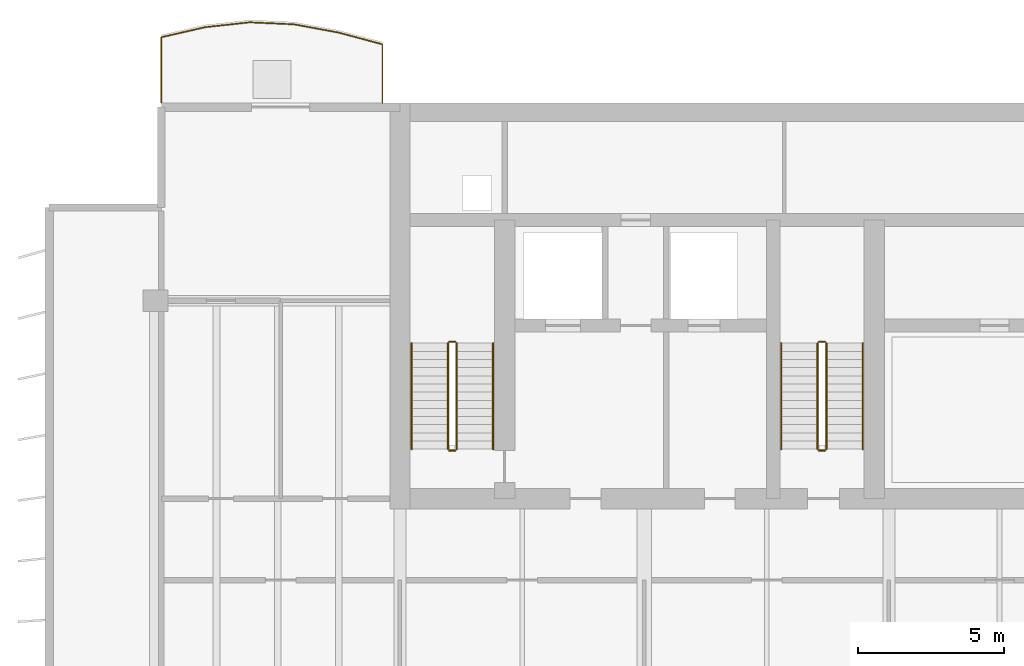
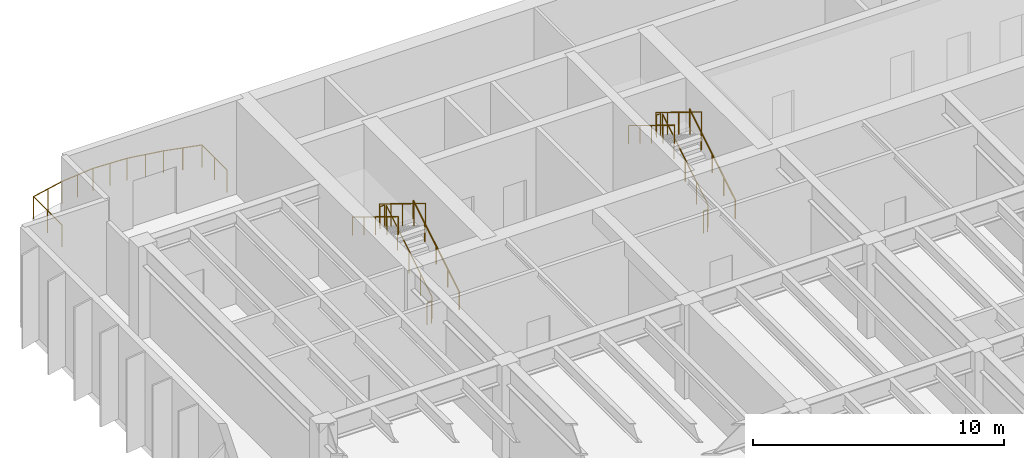
# One storey, part 13 of 15: 13 railings.
"""IFC4 building model written with IfcOpenShell, lengths in metres."""

from ifc_helpers import new_model, si_unit, direction, frame, origin, origin_2d, place, context, subcontext, project, spatial, circle, extrude, material, type_object, element, save


model = new_model("IFC4")

# Units and contexts
model_context = context("Model", 3, precision=1e-05, world=origin(), true_north=direction((0.0, 1.0)))
body_context = subcontext(model_context, "Body", "Model", "MODEL_VIEW")
ifc_project = project(units=[si_unit("LENGTHUNIT", "METRE"), si_unit("AREAUNIT", "SQUARE_METRE"), si_unit("VOLUMEUNIT", "CUBIC_METRE"), si_unit("PLANEANGLEUNIT", "RADIAN"), si_unit("MASSUNIT", "GRAM", prefix="KILO")], contexts=[model_context])

# Site, building, storey
site_placement = place(None, origin())
site = spatial("IfcSite", under=ifc_project, at=site_placement, CompositionType="ELEMENT")
building_placement = place(site_placement, origin())
building = spatial("IfcBuilding", under=site, at=building_placement, Name="Caelmar Bay Residences", CompositionType="ELEMENT")
storey_placement = place(building_placement, frame((0.0, 0.0, 183.60009765625)))
storey = spatial("IfcBuildingStorey", under=building, at=storey_placement, Name="L51", CompositionType="ELEMENT", Elevation=183.60009765625)

# Railings
ifc_material_1 = material(Name="Anodised bronze handrail with laminated hurricane glass infill", Category="glass")
railing_type_1 = type_object("IfcRailingType", Name="RL-BAL-1100", PredefinedType="BALUSTRADE", material=ifc_material_1)
railing_1_placement = place(storey_placement, frame((17.699951171875, 50.60009765625, 0.0)))
element("IfcRailing", 1, at=railing_1_placement, inside=storey, type_object=railing_type_1, Name="L51 north_west Balcony Balustrade", PredefinedType="BALUSTRADE", context=body_context, shape_type="SweptSolid", body=[
    extrude(circle(Radius=0.02392578125, at=origin_2d()), frame((0.0, 0.0, 1.076171875), z_axis=(0.0, 1.0, 0.0), x_axis=(-1.0, 0.0, 0.0)), (0.0, 0.0, 1.0), 2.0087890625),
    extrude(circle(Radius=0.02392578125, at=origin_2d()), frame((0.0, 2.0087890625, 1.076171875), z_axis=(-0.966206600501, 0.25776889872, 0.0), x_axis=(-0.25776889872, -0.966206600501, 0.0)), (0.0, 0.0, 1.0), 1.5732421875),
    extrude(circle(Radius=0.02392578125, at=origin_2d()), frame((-1.52001953125, 2.414306640625, 1.076171875), z_axis=(-0.983309224326, 0.181942214331, 0.0), x_axis=(-0.181942214331, -0.983309224326, 0.0)), (0.0, 0.0, 1.0), 1.5458984375),
    extrude(circle(Radius=0.02392578125, at=origin_2d()), frame((-3.0400390625, 2.695556640625, 1.076171875), z_axis=(-0.998975805625, 0.045247538899, 0.0), x_axis=(-0.045247538899, -0.998975805625, 0.0)), (0.0, 0.0, 1.0), 1.521484375),
    extrude(circle(Radius=0.02392578125, at=origin_2d()), frame((-4.56005859375, 2.764404296875, 1.076171875), z_axis=(-0.994138121061, -0.108117511319, 0.0), x_axis=(0.108117511319, -0.994138121061, 0.0)), (0.0, 0.0, 1.0), 1.52880859375),
    extrude(circle(Radius=0.02392578125, at=origin_2d()), frame((-6.079833984375, 2.59912109375, 1.076171875), z_axis=(-0.974861421848, -0.222812046786, 0.0), x_axis=(0.222812046786, -0.974861421848, 0.0)), (0.0, 0.0, 1.0), 1.559326171875),
    extrude(circle(Radius=0.02392578125, at=origin_2d()), frame((-7.599853515625, 2.251708984375, 1.076171875), z_axis=(0.0, -1.0, 0.0), x_axis=(1.0, 0.0, 0.0)), (0.0, 0.0, 1.0), 2.251708984375),
    extrude(circle(Radius=0.02099609375, at=origin_2d()), origin(), (0.0, 0.0, 1.0), 1.052001953125),
    extrude(circle(Radius=0.02099609375, at=origin_2d()), frame((0.0, 1.00439453125, 0.0)), (0.0, 0.0, 1.0), 1.052001953125),
    extrude(circle(Radius=0.02099609375, at=origin_2d()), frame((0.0, 2.0087890625, 0.0)), (0.0, 0.0, 1.0), 1.052001953125),
    extrude(circle(Radius=0.02099609375, at=origin_2d()), frame((-0.760009765625, 2.21142578125, 0.0)), (0.0, 0.0, 1.0), 1.052001953125),
    extrude(circle(Radius=0.02099609375, at=origin_2d()), frame((-1.52001953125, 2.414306640625, 0.0)), (0.0, 0.0, 1.0), 1.052001953125),
    extrude(circle(Radius=0.02099609375, at=origin_2d()), frame((-2.280029296875, 2.554931640625, 0.0)), (0.0, 0.0, 1.0), 1.052001953125),
    extrude(circle(Radius=0.02099609375, at=origin_2d()), frame((-3.0400390625, 2.695556640625, 0.0)), (0.0, 0.0, 1.0), 1.052001953125),
    extrude(circle(Radius=0.02099609375, at=origin_2d()), frame((-3.800048828125, 2.72998046875, 0.0)), (0.0, 0.0, 1.0), 1.052001953125),
    extrude(circle(Radius=0.02099609375, at=origin_2d()), frame((-4.56005859375, 2.764404296875, 0.0)), (0.0, 0.0, 1.0), 1.052001953125),
    extrude(circle(Radius=0.02099609375, at=origin_2d()), frame((-5.31982421875, 2.681640625, 0.0)), (0.0, 0.0, 1.0), 1.052001953125),
    extrude(circle(Radius=0.02099609375, at=origin_2d()), frame((-6.079833984375, 2.59912109375, 0.0)), (0.0, 0.0, 1.0), 1.052001953125),
    extrude(circle(Radius=0.02099609375, at=origin_2d()), frame((-6.83984375, 2.42529296875, 0.0)), (0.0, 0.0, 1.0), 1.052001953125),
    extrude(circle(Radius=0.02099609375, at=origin_2d()), frame((-7.599853515625, 2.251708984375, 0.0)), (0.0, 0.0, 1.0), 1.052001953125),
    extrude(circle(Radius=0.02099609375, at=origin_2d()), frame((-7.599853515625, 1.1259765625, 0.0)), (0.0, 0.0, 1.0), 1.052001953125),
    extrude(circle(Radius=0.02099609375, at=origin_2d()), frame((-7.599853515625, 0.0, 0.0)), (0.0, 0.0, 1.0), 1.052001953125),
])
ifc_material_2 = material(Name="Painted galvanized steel stair guard 1100 mm", Category="steel")
railing_type_2 = type_object("IfcRailingType", Name="RL-GRD-1100", PredefinedType="GUARDRAIL", material=ifc_material_2)
railing_2_placement = place(storey_placement, frame((20.25, 38.699951171875, 0.17138671875)))
element("IfcRailing", 2, at=railing_2_placement, inside=storey, type_object=railing_type_2, Name="L51 ST1 stair guard 1", PredefinedType="GUARDRAIL", context=body_context, shape_type="SweptSolid", body=[
    extrude(circle(Radius=0.02392578125, at=origin_2d()), frame((0.0, 0.0, 1.076171875), z_axis=(0.0, 0.852865859571, 0.52213008492), x_axis=(-1.0, 0.0, 0.0)), (0.0, 0.0, 1.0), 4.26806640625),
    extrude(circle(Radius=0.02099609375, at=origin_2d()), origin(), (0.0, 0.0, 1.0), 1.052001953125),
    extrude(circle(Radius=0.02099609375, at=origin_2d()), frame((0.0, 0.91015625, 0.55712890625)), (0.0, 0.0, 1.0), 1.052001953125),
    extrude(circle(Radius=0.02099609375, at=origin_2d()), frame((0.0, 1.820068359375, 1.1142578125)), (0.0, 0.0, 1.0), 1.052001953125),
    extrude(circle(Radius=0.02099609375, at=origin_2d()), frame((0.0, 2.72998046875, 1.67138671875)), (0.0, 0.0, 1.0), 1.052001953125),
    extrude(circle(Radius=0.02099609375, at=origin_2d()), frame((0.0, 3.64013671875, 2.228515625)), (0.0, 0.0, 1.0), 1.052001953125),
])
railing_3_placement = place(storey_placement, frame((20.199951171875, 42.389892578125, 2.39990234375)))
element("IfcRailing", 3, at=railing_3_placement, inside=storey, type_object=railing_type_2, Name="L51 ST1 stair guard 2", PredefinedType="GUARDRAIL", context=body_context, shape_type="SweptSolid", body=[
    extrude(circle(Radius=0.02392578125, at=origin_2d()), frame((0.0, 0.0, 1.076171875), z_axis=(-1.0, 0.0, 0.0), x_axis=(0.0, -1.0, 0.0)), (0.0, 0.0, 1.0), 0.199951171875),
    extrude(circle(Radius=0.02099609375, at=origin_2d()), origin(), (0.0, 0.0, 1.0), 1.052001953125),
    extrude(circle(Radius=0.02099609375, at=origin_2d()), frame((-0.199951171875, 0.0, 0.0)), (0.0, 0.0, 1.0), 1.052001953125),
])
railing_4_placement = place(storey_placement, frame((19.949951171875, 42.340087890625, 2.5712890625)))
element("IfcRailing", 4, at=railing_4_placement, inside=storey, type_object=railing_type_2, Name="L51 ST1 stair guard 3", PredefinedType="GUARDRAIL", context=body_context, shape_type="SweptSolid", body=[
    extrude(circle(Radius=0.02392578125, at=origin_2d()), frame((0.0, 0.0, 1.076171875), z_axis=(0.0, -0.852865859571, 0.52213008492), x_axis=(1.0, 0.0, 0.0)), (0.0, 0.0, 1.0), 4.26806640625),
    extrude(circle(Radius=0.02099609375, at=origin_2d()), origin(), (0.0, 0.0, 1.0), 1.052001953125),
    extrude(circle(Radius=0.02099609375, at=origin_2d()), frame((0.0, -0.91015625, 0.55712890625)), (0.0, 0.0, 1.0), 1.052001953125),
    extrude(circle(Radius=0.02099609375, at=origin_2d()), frame((0.0, -1.820068359375, 1.1142578125)), (0.0, 0.0, 1.0), 1.052001953125),
    extrude(circle(Radius=0.02099609375, at=origin_2d()), frame((0.0, -2.72998046875, 1.67138671875)), (0.0, 0.0, 1.0), 1.052001953125),
    extrude(circle(Radius=0.02099609375, at=origin_2d()), frame((0.0, -3.64013671875, 2.228515625)), (0.0, 0.0, 1.0), 1.052001953125),
])
railing_5_placement = place(storey_placement, frame((20.199951171875, 38.64990234375, 0.0)))
element("IfcRailing", 5, at=railing_5_placement, inside=storey, type_object=railing_type_2, Name="L51 ST1 stair guard 4", PredefinedType="GUARDRAIL", context=body_context, shape_type="SweptSolid", body=[
    extrude(circle(Radius=0.02392578125, at=origin_2d()), frame((0.0, 0.0, 1.076171875), z_axis=(-1.0, 0.0, 0.0), x_axis=(0.0, -1.0, 0.0)), (0.0, 0.0, 1.0), 0.199951171875),
    extrude(circle(Radius=0.02099609375, at=origin_2d()), origin(), (0.0, 0.0, 1.0), 1.052001953125),
    extrude(circle(Radius=0.02099609375, at=origin_2d()), frame((-0.199951171875, 0.0, 0.0)), (0.0, 0.0, 1.0), 1.052001953125),
])
railing_6_placement = place(storey_placement, frame((32.949951171875, 38.699951171875, 0.17138671875)))
element("IfcRailing", 6, at=railing_6_placement, inside=storey, type_object=railing_type_2, Name="L51 ST3 stair guard 1", PredefinedType="GUARDRAIL", context=body_context, shape_type="SweptSolid", body=[
    extrude(circle(Radius=0.02392578125, at=origin_2d()), frame((0.0, 0.0, 1.076171875), z_axis=(0.0, 0.852865859571, 0.52213008492), x_axis=(-1.0, 0.0, 0.0)), (0.0, 0.0, 1.0), 4.26806640625),
    extrude(circle(Radius=0.02099609375, at=origin_2d()), origin(), (0.0, 0.0, 1.0), 1.052001953125),
    extrude(circle(Radius=0.02099609375, at=origin_2d()), frame((0.0, 0.91015625, 0.55712890625)), (0.0, 0.0, 1.0), 1.052001953125),
    extrude(circle(Radius=0.02099609375, at=origin_2d()), frame((0.0, 1.820068359375, 1.1142578125)), (0.0, 0.0, 1.0), 1.052001953125),
    extrude(circle(Radius=0.02099609375, at=origin_2d()), frame((0.0, 2.72998046875, 1.67138671875)), (0.0, 0.0, 1.0), 1.052001953125),
    extrude(circle(Radius=0.02099609375, at=origin_2d()), frame((0.0, 3.64013671875, 2.228515625)), (0.0, 0.0, 1.0), 1.052001953125),
])
railing_7_placement = place(storey_placement, frame((32.89990234375, 42.389892578125, 2.39990234375)))
element("IfcRailing", 7, at=railing_7_placement, inside=storey, type_object=railing_type_2, Name="L51 ST3 stair guard 2", PredefinedType="GUARDRAIL", context=body_context, shape_type="SweptSolid", body=[
    extrude(circle(Radius=0.02392578125, at=origin_2d()), frame((0.0, 0.0, 1.076171875), z_axis=(-1.0, 0.0, 0.0), x_axis=(0.0, -1.0, 0.0)), (0.0, 0.0, 1.0), 0.199951171875),
    extrude(circle(Radius=0.02099609375, at=origin_2d()), origin(), (0.0, 0.0, 1.0), 1.052001953125),
    extrude(circle(Radius=0.02099609375, at=origin_2d()), frame((-0.199951171875, 0.0, 0.0)), (0.0, 0.0, 1.0), 1.052001953125),
])
railing_8_placement = place(storey_placement, frame((32.64990234375, 42.340087890625, 2.5712890625)))
element("IfcRailing", 8, at=railing_8_placement, inside=storey, type_object=railing_type_2, Name="L51 ST3 stair guard 3", PredefinedType="GUARDRAIL", context=body_context, shape_type="SweptSolid", body=[
    extrude(circle(Radius=0.02392578125, at=origin_2d()), frame((0.0, 0.0, 1.076171875), z_axis=(0.0, -0.852865859571, 0.52213008492), x_axis=(1.0, 0.0, 0.0)), (0.0, 0.0, 1.0), 4.26806640625),
    extrude(circle(Radius=0.02099609375, at=origin_2d()), origin(), (0.0, 0.0, 1.0), 1.052001953125),
    extrude(circle(Radius=0.02099609375, at=origin_2d()), frame((0.0, -0.91015625, 0.55712890625)), (0.0, 0.0, 1.0), 1.052001953125),
    extrude(circle(Radius=0.02099609375, at=origin_2d()), frame((0.0, -1.820068359375, 1.1142578125)), (0.0, 0.0, 1.0), 1.052001953125),
    extrude(circle(Radius=0.02099609375, at=origin_2d()), frame((0.0, -2.72998046875, 1.67138671875)), (0.0, 0.0, 1.0), 1.052001953125),
    extrude(circle(Radius=0.02099609375, at=origin_2d()), frame((0.0, -3.64013671875, 2.228515625)), (0.0, 0.0, 1.0), 1.052001953125),
])
railing_9_placement = place(storey_placement, frame((32.89990234375, 38.64990234375, 0.0)))
element("IfcRailing", 9, at=railing_9_placement, inside=storey, type_object=railing_type_2, Name="L51 ST3 stair guard 4", PredefinedType="GUARDRAIL", context=body_context, shape_type="SweptSolid", body=[
    extrude(circle(Radius=0.02392578125, at=origin_2d()), frame((0.0, 0.0, 1.076171875), z_axis=(-1.0, 0.0, 0.0), x_axis=(0.0, -1.0, 0.0)), (0.0, 0.0, 1.0), 0.199951171875),
    extrude(circle(Radius=0.02099609375, at=origin_2d()), origin(), (0.0, 0.0, 1.0), 1.052001953125),
    extrude(circle(Radius=0.02099609375, at=origin_2d()), frame((-0.199951171875, 0.0, 0.0)), (0.0, 0.0, 1.0), 1.052001953125),
])
ifc_material_3 = material(Name="Brushed bronze stainless-steel tubular handrail 900 mm", Category="steel")
railing_type_3 = type_object("IfcRailingType", Name="RL-HND-900", PredefinedType="HANDRAIL", material=ifc_material_3)
railing_10_placement = place(storey_placement, frame((21.5, 38.699951171875, 0.17138671875)))
element("IfcRailing", 10, at=railing_10_placement, inside=storey, type_object=railing_type_3, Name="L51 ST1 stair handrail 1", PredefinedType="HANDRAIL", context=body_context, shape_type="SweptSolid", body=[
    extrude(circle(Radius=0.02392578125, at=origin_2d()), frame((0.0, 0.0, 0.8759765625), z_axis=(0.0, 0.852865859571, 0.52213008492), x_axis=(-1.0, 0.0, 0.0)), (0.0, 0.0, 1.0), 4.26806640625),
    extrude(circle(Radius=0.02099609375, at=origin_2d()), origin(), (0.0, 0.0, 1.0), 0.851806640625),
    extrude(circle(Radius=0.02099609375, at=origin_2d()), frame((0.0, 0.91015625, 0.55712890625)), (0.0, 0.0, 1.0), 0.851806640625),
    extrude(circle(Radius=0.02099609375, at=origin_2d()), frame((0.0, 1.820068359375, 1.1142578125)), (0.0, 0.0, 1.0), 0.851806640625),
    extrude(circle(Radius=0.02099609375, at=origin_2d()), frame((0.0, 2.72998046875, 1.67138671875)), (0.0, 0.0, 1.0), 0.851806640625),
    extrude(circle(Radius=0.02099609375, at=origin_2d()), frame((0.0, 3.64013671875, 2.228515625)), (0.0, 0.0, 1.0), 0.851806640625),
])
railing_11_placement = place(storey_placement, frame((18.699951171875, 42.340087890625, 2.5712890625)))
element("IfcRailing", 11, at=railing_11_placement, inside=storey, type_object=railing_type_3, Name="L51 ST1 stair handrail 2", PredefinedType="HANDRAIL", context=body_context, shape_type="SweptSolid", body=[
    extrude(circle(Radius=0.02392578125, at=origin_2d()), frame((0.0, 0.0, 0.8759765625), z_axis=(0.0, -0.852865859571, 0.52213008492), x_axis=(1.0, 0.0, 0.0)), (0.0, 0.0, 1.0), 4.26806640625),
    extrude(circle(Radius=0.02099609375, at=origin_2d()), origin(), (0.0, 0.0, 1.0), 0.851806640625),
    extrude(circle(Radius=0.02099609375, at=origin_2d()), frame((0.0, -0.91015625, 0.55712890625)), (0.0, 0.0, 1.0), 0.851806640625),
    extrude(circle(Radius=0.02099609375, at=origin_2d()), frame((0.0, -1.820068359375, 1.1142578125)), (0.0, 0.0, 1.0), 0.851806640625),
    extrude(circle(Radius=0.02099609375, at=origin_2d()), frame((0.0, -2.72998046875, 1.67138671875)), (0.0, 0.0, 1.0), 0.851806640625),
    extrude(circle(Radius=0.02099609375, at=origin_2d()), frame((0.0, -3.64013671875, 2.228515625)), (0.0, 0.0, 1.0), 0.851806640625),
])
railing_12_placement = place(storey_placement, frame((34.199951171875, 38.699951171875, 0.17138671875)))
element("IfcRailing", 12, at=railing_12_placement, inside=storey, type_object=railing_type_3, Name="L51 ST3 stair handrail 1", PredefinedType="HANDRAIL", context=body_context, shape_type="SweptSolid", body=[
    extrude(circle(Radius=0.02392578125, at=origin_2d()), frame((0.0, 0.0, 0.8759765625), z_axis=(0.0, 0.852865859571, 0.52213008492), x_axis=(-1.0, 0.0, 0.0)), (0.0, 0.0, 1.0), 4.26806640625),
    extrude(circle(Radius=0.02099609375, at=origin_2d()), origin(), (0.0, 0.0, 1.0), 0.851806640625),
    extrude(circle(Radius=0.02099609375, at=origin_2d()), frame((0.0, 0.91015625, 0.55712890625)), (0.0, 0.0, 1.0), 0.851806640625),
    extrude(circle(Radius=0.02099609375, at=origin_2d()), frame((0.0, 1.820068359375, 1.1142578125)), (0.0, 0.0, 1.0), 0.851806640625),
    extrude(circle(Radius=0.02099609375, at=origin_2d()), frame((0.0, 2.72998046875, 1.67138671875)), (0.0, 0.0, 1.0), 0.851806640625),
    extrude(circle(Radius=0.02099609375, at=origin_2d()), frame((0.0, 3.64013671875, 2.228515625)), (0.0, 0.0, 1.0), 0.851806640625),
])
railing_13_placement = place(storey_placement, frame((31.39990234375, 42.340087890625, 2.5712890625)))
element("IfcRailing", 13, at=railing_13_placement, inside=storey, type_object=railing_type_3, Name="L51 ST3 stair handrail 2", PredefinedType="HANDRAIL", context=body_context, shape_type="SweptSolid", body=[
    extrude(circle(Radius=0.02392578125, at=origin_2d()), frame((0.0, 0.0, 0.8759765625), z_axis=(0.0, -0.852865859571, 0.52213008492), x_axis=(1.0, 0.0, 0.0)), (0.0, 0.0, 1.0), 4.26806640625),
    extrude(circle(Radius=0.02099609375, at=origin_2d()), origin(), (0.0, 0.0, 1.0), 0.851806640625),
    extrude(circle(Radius=0.02099609375, at=origin_2d()), frame((0.0, -0.91015625, 0.55712890625)), (0.0, 0.0, 1.0), 0.851806640625),
    extrude(circle(Radius=0.02099609375, at=origin_2d()), frame((0.0, -1.820068359375, 1.1142578125)), (0.0, 0.0, 1.0), 0.851806640625),
    extrude(circle(Radius=0.02099609375, at=origin_2d()), frame((0.0, -2.72998046875, 1.67138671875)), (0.0, 0.0, 1.0), 0.851806640625),
    extrude(circle(Radius=0.02099609375, at=origin_2d()), frame((0.0, -3.64013671875, 2.228515625)), (0.0, 0.0, 1.0), 0.851806640625),
])

save(model, "model.ifc")
